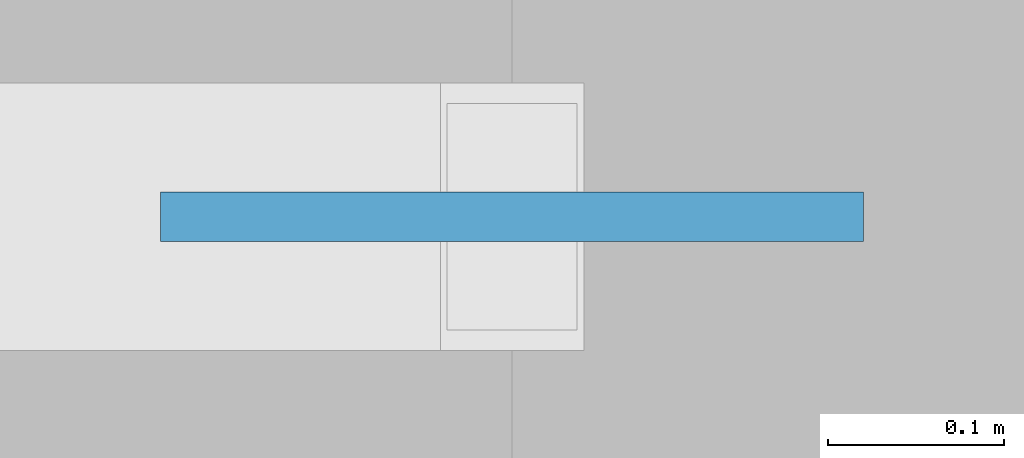
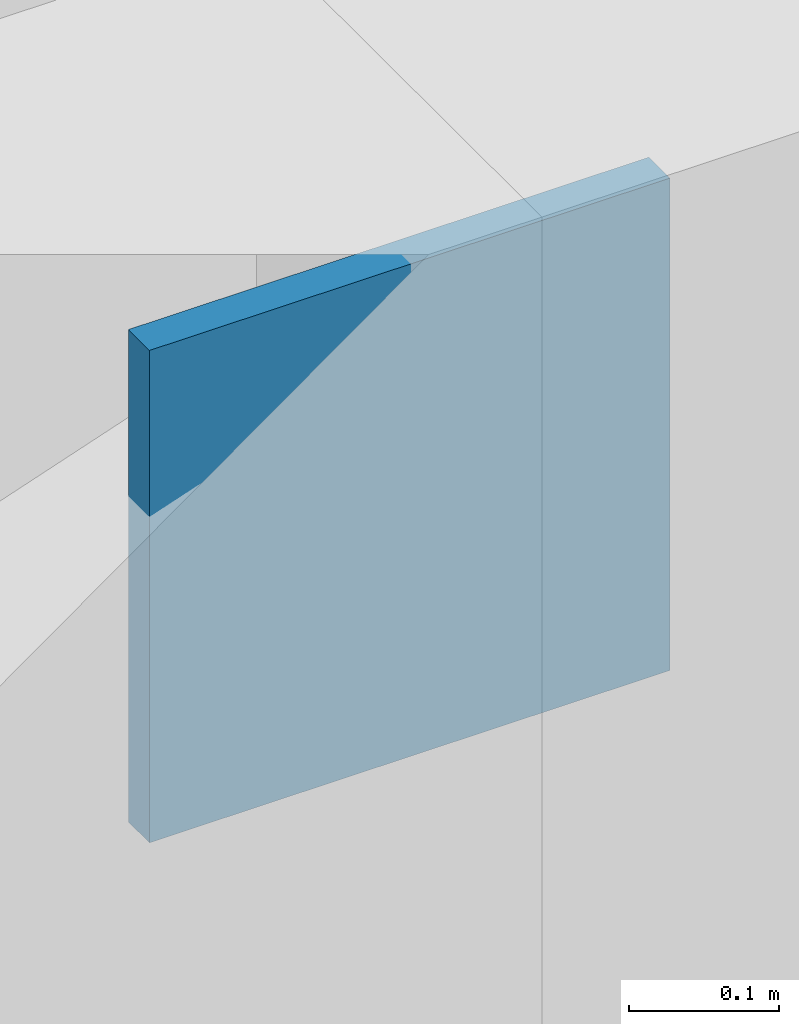
# One storey, part 53 of 85: 1 plate.
"""IFC4 building model written with IfcOpenShell, lengths in metres."""

from ifc_helpers import new_model, si_unit, direction, frame, origin, origin_2d, place, context, subcontext, project, spatial, rectangle, extrude, material, layer, layer_set, type_object, element, save


model = new_model("IFC4")

# Units and contexts
model_context = context("Model", 3, precision=1e-05, world=origin(), true_north=direction((0.0, 1.0)))
body_context = subcontext(model_context, "Body", "Model", "MODEL_VIEW")
ifc_project = project(units=[si_unit("LENGTHUNIT", "METRE"), si_unit("AREAUNIT", "SQUARE_METRE"), si_unit("VOLUMEUNIT", "CUBIC_METRE"), si_unit("PLANEANGLEUNIT", "RADIAN"), si_unit("MASSUNIT", "GRAM", prefix="KILO")], contexts=[model_context])

# Site, building, storey
site_placement = place(None, origin())
site = spatial("IfcSite", under=ifc_project, at=site_placement, CompositionType="ELEMENT")
building_placement = place(site_placement, origin())
building = spatial("IfcBuilding", under=site, at=building_placement, Name="Vervanel Yard Central Library", CompositionType="ELEMENT")
storey_placement = place(building_placement, frame((0.0, 0.0, 5.10009765625)))
storey = spatial("IfcBuildingStorey", under=building, at=storey_placement, Name="L01", CompositionType="ELEMENT", Elevation=5.10009765625)

# Plate
ifc_material = material(Name="Steel ASTM A572 Grade 50", Category="steel")
ifc_layer = layer(ifc_material, 0.028076171875, Category="steel")
ifc_layer_set = layer_set([ifc_layer], Name="Steel ASTM A572 Grade 50")
plate_type = type_object("IfcPlateType", Name="Brace End Cap Plate 28", PredefinedType="SHEET", material=ifc_layer_set)
plate_placement = place(storey_placement, frame((72.0, 114.0, 3.0048828125), z_axis=(0.0, 0.0, 1.0), x_axis=(1.0, 0.0, 0.0)))
element("IfcPlate", 1, at=plate_placement, inside=storey, type_object=plate_type, Name="L01 Lateral Brace End Cap 4-2", PredefinedType="SHEET", context=body_context, shape_type="SweptSolid", body=[
    extrude(rectangle(XDim=0.39990234375, YDim=0.028076171875, at=origin_2d()), origin(), (0.0, 0.0, 1.0), 0.39990234375),
])

save(model, "model.ifc")
